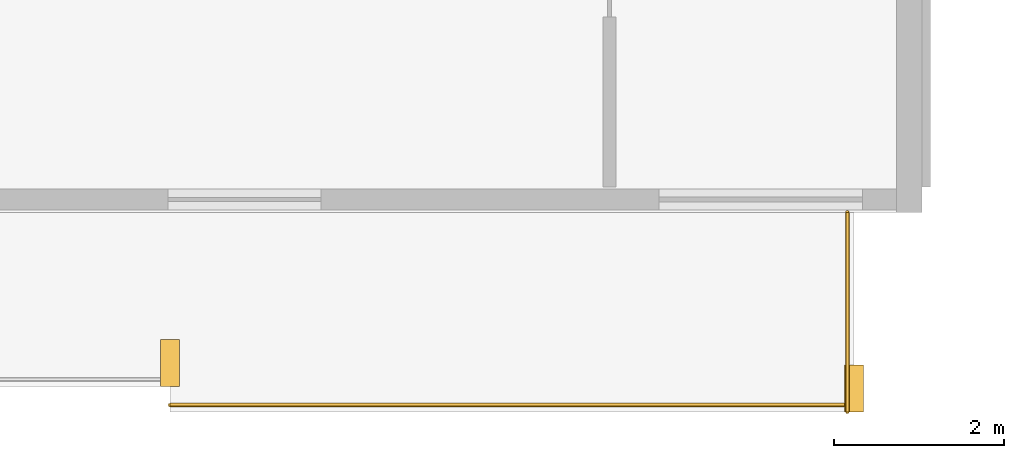
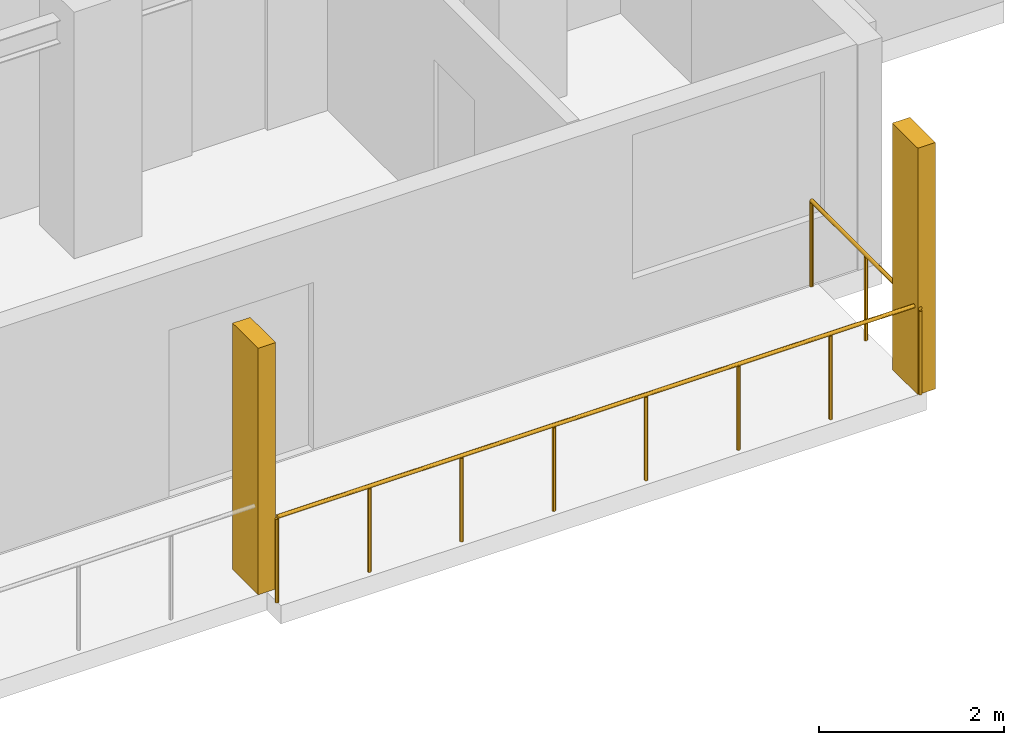
# One storey, part 20 of 22: 2 railings, 2 shading devices.
"""IFC4 building model written with IfcOpenShell, lengths in metres."""

from ifc_helpers import new_model, si_unit, direction, frame, origin, origin_2d, place, context, subcontext, project, spatial, rectangle, circle, extrude, material, type_object, element, save


model = new_model("IFC4")

# Units and contexts
model_context = context("Model", 3, precision=1e-05, world=origin(), true_north=direction((0.0, 1.0)))
body_context = subcontext(model_context, "Body", "Model", "MODEL_VIEW")
ifc_project = project(units=[si_unit("LENGTHUNIT", "METRE"), si_unit("AREAUNIT", "SQUARE_METRE"), si_unit("VOLUMEUNIT", "CUBIC_METRE"), si_unit("PLANEANGLEUNIT", "RADIAN"), si_unit("MASSUNIT", "GRAM", prefix="KILO")], contexts=[model_context])

# Site, building, storey
site_placement = place(None, origin())
site = spatial("IfcSite", under=ifc_project, at=site_placement, CompositionType="ELEMENT")
building_placement = place(site_placement, origin())
building = spatial("IfcBuilding", under=site, at=building_placement, Name="Korimba Cascade Residences", CompositionType="ELEMENT")
storey_placement = place(building_placement, frame((0.0, 0.0, 84.050048828125)))
storey = spatial("IfcBuildingStorey", under=building, at=storey_placement, Name="L23", CompositionType="ELEMENT", Elevation=84.050048828125)

# Railings
ifc_material_1 = material(Name="Laminated Glass and Bronze Balustrade", Category="glass")
railing_type = type_object("IfcRailingType", Name="RLG-LOG-1150", PredefinedType="BALUSTRADE", material=ifc_material_1)
railing_1_placement = place(storey_placement, frame((121.843017578125, -11.27001953125, 0.0)))
element("IfcRailing", 1, at=railing_1_placement, inside=storey, type_object=railing_type, Name="L23 Perimeter Guardrail RLG-L23-T2-LOG-06", PredefinedType="BALUSTRADE", context=body_context, shape_type="SweptSolid", body=[
    extrude(circle(Radius=0.02392578125, at=origin_2d()), frame((0.0, 0.0, 1.1259765625), z_axis=(1.0, 0.0, 0.0), x_axis=(0.0, 1.0, 0.0)), (0.0, 0.0, 1.0), 8.056884765625),
    extrude(circle(Radius=0.02099609375, at=origin_2d()), origin(), (0.0, 0.0, 1.0), 1.101806640625),
    extrude(circle(Radius=0.02099609375, at=origin_2d()), frame((1.15087890625, 0.0, 0.0)), (0.0, 0.0, 1.0), 1.101806640625),
    extrude(circle(Radius=0.02099609375, at=origin_2d()), frame((2.302001953125, 0.0, 0.0)), (0.0, 0.0, 1.0), 1.101806640625),
    extrude(circle(Radius=0.02099609375, at=origin_2d()), frame((3.452880859375, 0.0, 0.0)), (0.0, 0.0, 1.0), 1.101806640625),
    extrude(circle(Radius=0.02099609375, at=origin_2d()), frame((4.60400390625, 0.0, 0.0)), (0.0, 0.0, 1.0), 1.101806640625),
    extrude(circle(Radius=0.02099609375, at=origin_2d()), frame((5.7548828125, 0.0, 0.0)), (0.0, 0.0, 1.0), 1.101806640625),
    extrude(circle(Radius=0.02099609375, at=origin_2d()), frame((6.906005859375, 0.0, 0.0)), (0.0, 0.0, 1.0), 1.101806640625),
    extrude(circle(Radius=0.02099609375, at=origin_2d()), frame((8.056884765625, 0.0, 0.0)), (0.0, 0.0, 1.0), 1.101806640625),
])
railing_2_placement = place(storey_placement, frame((129.820068359375, -11.35009765625, 0.0)))
element("IfcRailing", 2, at=railing_2_placement, inside=storey, type_object=railing_type, Name="L23 Perimeter Guardrail RLG-L23-T2-LOG-07", PredefinedType="BALUSTRADE", context=body_context, shape_type="SweptSolid", body=[
    extrude(circle(Radius=0.02392578125, at=origin_2d()), frame((0.0, 0.0, 1.1259765625), z_axis=(0.0, 1.0, 0.0), x_axis=(-1.0, 0.0, 0.0)), (0.0, 0.0, 1.0), 2.35009765625),
    extrude(circle(Radius=0.02099609375, at=origin_2d()), origin(), (0.0, 0.0, 1.0), 1.101806640625),
    extrude(circle(Radius=0.02099609375, at=origin_2d()), frame((0.0, 1.175048828125, 0.0)), (0.0, 0.0, 1.0), 1.101806640625),
    extrude(circle(Radius=0.02099609375, at=origin_2d()), frame((0.0, 2.35009765625, 0.0)), (0.0, 0.0, 1.0), 1.101806640625),
])

# Shading devices
ifc_material_2 = material(Name="Honed Sandstone Precast Fin", Category="masonry")
shading_device_type = type_object("IfcShadingDeviceType", Name="SHD-FIN-550", PredefinedType="USERDEFINED", material=ifc_material_2)
for number, where, z_axis, x_axis, name in (
    (3, (121.843017578125, -10.77490234375, 0.0), (0.0, 0.0, 1.0), (1.0, 0.0, 0.0), "L23 T2 Warm-Stone Loggia Fin 7"),
    (4, (129.89990234375, -11.074951171875, 0.0), (0.0, 0.0, 1.0), (1.0, 0.0, 0.0), "L23 T2 Warm-Stone Loggia Fin 8"),
):
    element("IfcShadingDevice", number, at=place(storey_placement, frame(where, z_axis=z_axis, x_axis=x_axis)), inside=storey, type_object=shading_device_type, Name=name, ObjectType="FIN", PredefinedType="USERDEFINED", context=body_context, shape_type="SweptSolid", body=[
        extrude(rectangle(XDim=0.219970703125, YDim=0.550048828125, at=origin_2d()), origin(), (0.0, 0.0, 1.0), 3.25),
    ])

save(model, "model.ifc")
